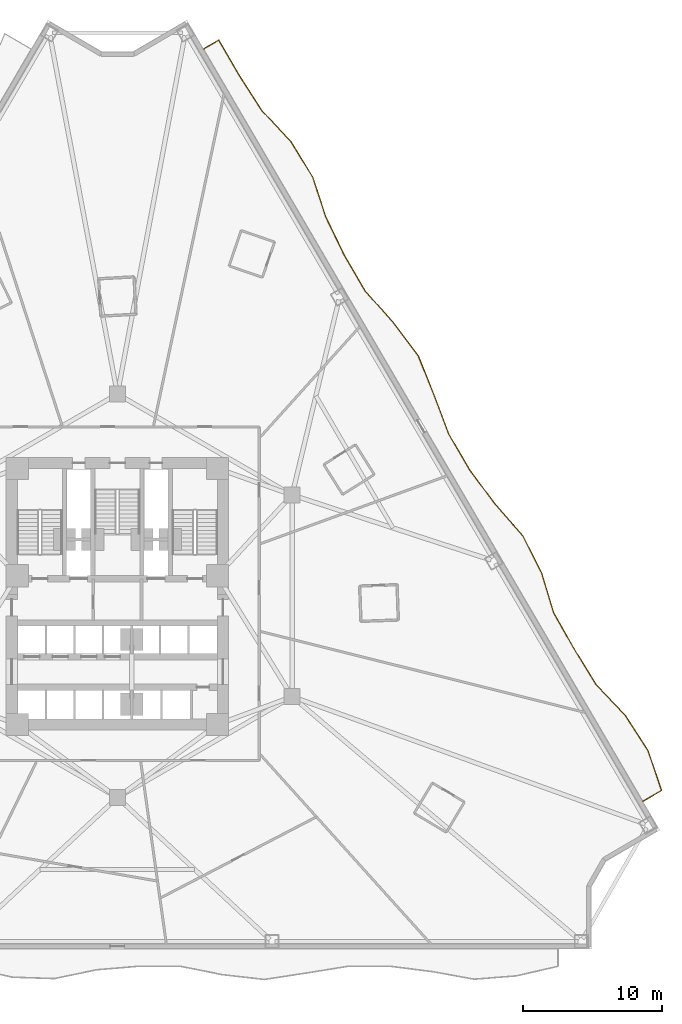
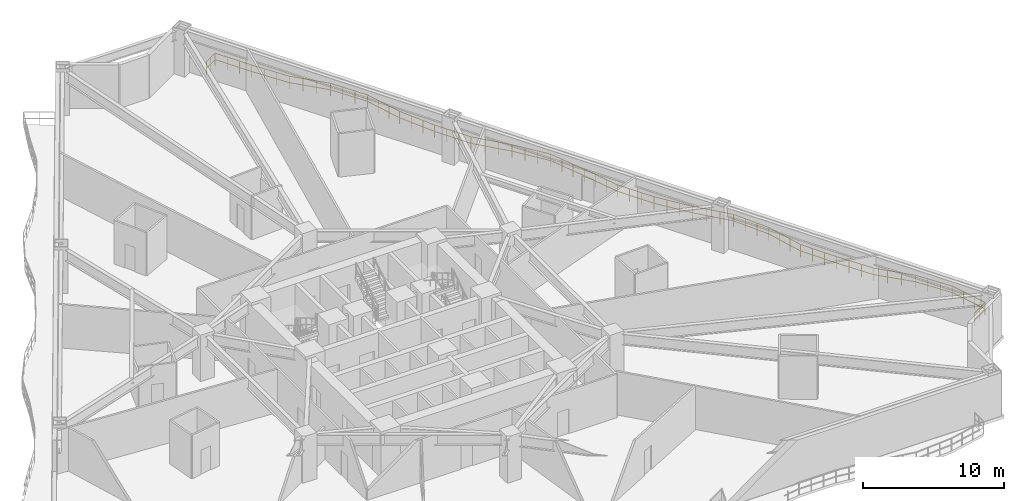
# One storey, part 12 of 12: 1 railing.
"""IFC4 building model written with IfcOpenShell, lengths in metres."""

from ifc_helpers import new_model, si_unit, direction, frame, origin, origin_2d, place, context, subcontext, project, spatial, rectangle, extrude, material, type_object, element, save


model = new_model("IFC4")

# Units and contexts
model_context = context("Model", 3, precision=1e-05, world=origin(), true_north=direction((0.0, 1.0)))
body_context = subcontext(model_context, "Body", "Model", "MODEL_VIEW")
ifc_project = project(units=[si_unit("LENGTHUNIT", "METRE"), si_unit("AREAUNIT", "SQUARE_METRE"), si_unit("VOLUMEUNIT", "CUBIC_METRE"), si_unit("PLANEANGLEUNIT", "RADIAN"), si_unit("MASSUNIT", "GRAM", prefix="KILO")], contexts=[model_context])

# Site, building, storey
site_placement = place(None, origin())
site = spatial("IfcSite", under=ifc_project, at=site_placement, CompositionType="ELEMENT")
building_placement = place(site_placement, origin())
building = spatial("IfcBuilding", under=site, at=building_placement, Name="Apsidion Concourse Tower", CompositionType="ELEMENT")
storey_placement = place(building_placement, frame((0.0, 0.0, 50.39990234375)))
storey = spatial("IfcBuildingStorey", under=building, at=storey_placement, Name="L10", CompositionType="ELEMENT", Elevation=50.39990234375)

# Railing
ifc_material = material(Name="Brushed stainless steel 316", Category="steel")
railing_type = type_object("IfcRailingType", Name="RL-BAL-1120", PredefinedType="BALUSTRADE", material=ifc_material)
railing_placement = place(storey_placement, frame((6.204833984375, 39.32275390625, 0.0)))
element("IfcRailing", 1, at=railing_placement, inside=storey, type_object=railing_type, Name="L10 Face 3 Rippling Balcony Balustrade", PredefinedType="BALUSTRADE", context=body_context, shape_type="SweptSolid", body=[
    extrude(rectangle(XDim=0.048095703125, YDim=0.048095703125, at=origin_2d()), frame((0.0, 0.0, 1.09619140625), z_axis=(0.863516668547, 0.504320298165, 0.0), x_axis=(-0.504320298165, 0.863516668547, 0.0)), (0.0, 0.0, 1.0), 1.25),
    extrude(rectangle(XDim=0.048095703125, YDim=0.048095703125, at=origin_2d()), frame((0.0, 0.0, 0.5361328125), z_axis=(0.863516668547, 0.504320298165, 0.0), x_axis=(-0.504320298165, 0.863516668547, 0.0)), (0.0, 0.0, 1.0), 1.25),
    extrude(rectangle(XDim=0.048095703125, YDim=0.048095703125, at=origin_2d()), frame((1.079345703125, 0.63037109375, 1.09619140625), z_axis=(0.504252641195, -0.863556178745, 0.0), x_axis=(0.863556178745, 0.504252641195, 0.0)), (0.0, 0.0, 1.0), 2.98291015625),
    extrude(rectangle(XDim=0.048095703125, YDim=0.048095703125, at=origin_2d()), frame((1.079345703125, 0.63037109375, 0.5361328125), z_axis=(0.504252641195, -0.863556178745, 0.0), x_axis=(0.863556178745, 0.504252641195, 0.0)), (0.0, 0.0, 1.0), 2.98291015625),
    extrude(rectangle(XDim=0.048095703125, YDim=0.048095703125, at=origin_2d()), frame((2.58349609375, -1.945556640625, 1.09619140625), z_axis=(0.541212098361, -0.84088611868, 0.0), x_axis=(0.84088611868, 0.541212098361, 0.0)), (0.0, 0.0, 1.0), 2.98583984375),
    extrude(rectangle(XDim=0.048095703125, YDim=0.048095703125, at=origin_2d()), frame((2.58349609375, -1.945556640625, 0.5361328125), z_axis=(0.541212098361, -0.84088611868, 0.0), x_axis=(0.84088611868, 0.541212098361, 0.0)), (0.0, 0.0, 1.0), 2.98583984375),
    extrude(rectangle(XDim=0.048095703125, YDim=0.048095703125, at=origin_2d()), frame((4.199462890625, -4.456298828125, 1.09619140625), z_axis=(0.6840419799, -0.729442643211, 0.0), x_axis=(0.729442643211, 0.6840419799, 0.0)), (0.0, 0.0, 1.0), 3.059814453125),
    extrude(rectangle(XDim=0.048095703125, YDim=0.048095703125, at=origin_2d()), frame((4.199462890625, -4.456298828125, 0.5361328125), z_axis=(0.6840419799, -0.729442643211, 0.0), x_axis=(0.729442643211, 0.6840419799, 0.0)), (0.0, 0.0, 1.0), 3.059814453125),
    extrude(rectangle(XDim=0.048095703125, YDim=0.048095703125, at=origin_2d()), frame((6.29248046875, -6.688232421875, 1.09619140625), z_axis=(0.52049976086, -0.8538618149, 0.0), x_axis=(0.8538618149, 0.52049976086, 0.0)), (0.0, 0.0, 1.0), 2.983642578125),
    extrude(rectangle(XDim=0.048095703125, YDim=0.048095703125, at=origin_2d()), frame((6.29248046875, -6.688232421875, 0.5361328125), z_axis=(0.52049976086, -0.8538618149, 0.0), x_axis=(0.8538618149, 0.52049976086, 0.0)), (0.0, 0.0, 1.0), 2.983642578125),
    extrude(rectangle(XDim=0.048095703125, YDim=0.048095703125, at=origin_2d()), frame((7.845458984375, -9.23583984375, 1.09619140625), z_axis=(0.312455633183, -0.949932354061, 0.0), x_axis=(0.949932354061, 0.312455633183, 0.0)), (0.0, 0.0, 1.0), 3.050537109375),
    extrude(rectangle(XDim=0.048095703125, YDim=0.048095703125, at=origin_2d()), frame((7.845458984375, -9.23583984375, 0.5361328125), z_axis=(0.312455633183, -0.949932354061, 0.0), x_axis=(0.949932354061, 0.312455633183, 0.0)), (0.0, 0.0, 1.0), 3.050537109375),
    extrude(rectangle(XDim=0.048095703125, YDim=0.048095703125, at=origin_2d()), frame((8.798583984375, -12.133544921875, 1.09619140625), z_axis=(0.436211432489, -0.899844201052, 0.0), x_axis=(0.899844201052, 0.436211432489, 0.0)), (0.0, 0.0, 1.0), 2.991455078125),
    extrude(rectangle(XDim=0.048095703125, YDim=0.048095703125, at=origin_2d()), frame((8.798583984375, -12.133544921875, 0.5361328125), z_axis=(0.436211432489, -0.899844201052, 0.0), x_axis=(0.899844201052, 0.436211432489, 0.0)), (0.0, 0.0, 1.0), 2.991455078125),
    extrude(rectangle(XDim=0.048095703125, YDim=0.048095703125, at=origin_2d()), frame((10.103515625, -14.825439453125, 1.09619140625), z_axis=(0.504217003444, -0.863576987557, 0.0), x_axis=(0.863576987557, 0.504217003444, 0.0)), (0.0, 0.0, 1.0), 2.983154296875),
    extrude(rectangle(XDim=0.048095703125, YDim=0.048095703125, at=origin_2d()), frame((10.103515625, -14.825439453125, 0.5361328125), z_axis=(0.504217003444, -0.863576987557, 0.0), x_axis=(0.863576987557, 0.504217003444, 0.0)), (0.0, 0.0, 1.0), 2.983154296875),
    extrude(rectangle(XDim=0.048095703125, YDim=0.048095703125, at=origin_2d()), frame((11.607666015625, -17.401611328125, 1.09619140625), z_axis=(0.664617797702, -0.747183500205, 0.0), x_axis=(0.747183500205, 0.664617797702, 0.0)), (0.0, 0.0, 1.0), 3.042724609375),
    extrude(rectangle(XDim=0.048095703125, YDim=0.048095703125, at=origin_2d()), frame((11.607666015625, -17.401611328125, 0.5361328125), z_axis=(0.664617797702, -0.747183500205, 0.0), x_axis=(0.747183500205, 0.664617797702, 0.0)), (0.0, 0.0, 1.0), 3.042724609375),
    extrude(rectangle(XDim=0.048095703125, YDim=0.048095703125, at=origin_2d()), frame((13.6298828125, -19.675048828125, 1.09619140625), z_axis=(0.600884171169, -0.799336107554, 0.0), x_axis=(0.799336107554, 0.600884171169, 0.0)), (0.0, 0.0, 1.0), 3.0029296875),
    extrude(rectangle(XDim=0.048095703125, YDim=0.048095703125, at=origin_2d()), frame((13.6298828125, -19.675048828125, 0.5361328125), z_axis=(0.600884171169, -0.799336107554, 0.0), x_axis=(0.799336107554, 0.600884171169, 0.0)), (0.0, 0.0, 1.0), 3.0029296875),
    extrude(rectangle(XDim=0.048095703125, YDim=0.048095703125, at=origin_2d()), frame((15.434326171875, -22.075439453125, 1.09619140625), z_axis=(0.371488374895, -0.928437605506, 0.0), x_axis=(0.928437605506, 0.371488374895, 0.0)), (0.0, 0.0, 1.0), 3.015869140625),
    extrude(rectangle(XDim=0.048095703125, YDim=0.048095703125, at=origin_2d()), frame((15.434326171875, -22.075439453125, 0.5361328125), z_axis=(0.371488374895, -0.928437605506, 0.0), x_axis=(0.928437605506, 0.371488374895, 0.0)), (0.0, 0.0, 1.0), 3.015869140625),
    extrude(rectangle(XDim=0.048095703125, YDim=0.048095703125, at=origin_2d()), frame((16.5546875, -24.87548828125, 1.09619140625), z_axis=(0.353386444389, -0.935477429403, 0.0), x_axis=(0.935477429403, 0.353386444389, 0.0)), (0.0, 0.0, 1.0), 3.025390625),
    extrude(rectangle(XDim=0.048095703125, YDim=0.048095703125, at=origin_2d()), frame((16.5546875, -24.87548828125, 0.5361328125), z_axis=(0.353386444389, -0.935477429403, 0.0), x_axis=(0.935477429403, 0.353386444389, 0.0)), (0.0, 0.0, 1.0), 3.025390625),
    extrude(rectangle(XDim=0.048095703125, YDim=0.048095703125, at=origin_2d()), frame((17.623779296875, -27.70556640625, 1.09619140625), z_axis=(0.504191602526, -0.863591817899, 0.0), x_axis=(0.863591817899, 0.504191602526, 0.0)), (0.0, 0.0, 1.0), 2.98291015625),
    extrude(rectangle(XDim=0.048095703125, YDim=0.048095703125, at=origin_2d()), frame((17.623779296875, -27.70556640625, 0.5361328125), z_axis=(0.504191602526, -0.863591817899, 0.0), x_axis=(0.863591817899, 0.504191602526, 0.0)), (0.0, 0.0, 1.0), 2.98291015625),
    extrude(rectangle(XDim=0.048095703125, YDim=0.048095703125, at=origin_2d()), frame((19.127685546875, -30.281494140625, 1.09619140625), z_axis=(0.59743312146, -0.801918739887, 0.0), x_axis=(0.801918739887, 0.59743312146, 0.0)), (0.0, 0.0, 1.0), 3.00146484375),
    extrude(rectangle(XDim=0.048095703125, YDim=0.048095703125, at=origin_2d()), frame((19.127685546875, -30.281494140625, 0.5361328125), z_axis=(0.59743312146, -0.801918739887, 0.0), x_axis=(0.801918739887, 0.59743312146, 0.0)), (0.0, 0.0, 1.0), 3.00146484375),
    extrude(rectangle(XDim=0.048095703125, YDim=0.048095703125, at=origin_2d()), frame((20.9208984375, -32.6884765625, 1.09619140625), z_axis=(0.658919799171, -0.752213200004, 0.0), x_axis=(0.752213200004, 0.658919799171, 0.0)), (0.0, 0.0, 1.0), 3.038330078125),
    extrude(rectangle(XDim=0.048095703125, YDim=0.048095703125, at=origin_2d()), frame((20.9208984375, -32.6884765625, 0.5361328125), z_axis=(0.658919799171, -0.752213200004, 0.0), x_axis=(0.752213200004, 0.658919799171, 0.0)), (0.0, 0.0, 1.0), 3.038330078125),
    extrude(rectangle(XDim=0.048095703125, YDim=0.048095703125, at=origin_2d()), frame((22.9228515625, -34.973876953125, 1.09619140625), z_axis=(0.454064092213, -0.890969023122, 0.0), x_axis=(0.890969023122, 0.454064092213, 0.0)), (0.0, 0.0, 1.0), 2.98779296875),
    extrude(rectangle(XDim=0.048095703125, YDim=0.048095703125, at=origin_2d()), frame((22.9228515625, -34.973876953125, 0.5361328125), z_axis=(0.454064092213, -0.890969023122, 0.0), x_axis=(0.890969023122, 0.454064092213, 0.0)), (0.0, 0.0, 1.0), 2.98779296875),
    extrude(rectangle(XDim=0.048095703125, YDim=0.048095703125, at=origin_2d()), frame((24.279541015625, -37.635986328125, 1.09619140625), z_axis=(0.290648251886, -0.956829971142, 0.0), x_axis=(0.956829971142, 0.290648251886, 0.0)), (0.0, 0.0, 1.0), 3.06591796875),
    extrude(rectangle(XDim=0.048095703125, YDim=0.048095703125, at=origin_2d()), frame((24.279541015625, -37.635986328125, 0.5361328125), z_axis=(0.290648251886, -0.956829971142, 0.0), x_axis=(0.956829971142, 0.290648251886, 0.0)), (0.0, 0.0, 1.0), 3.06591796875),
    extrude(rectangle(XDim=0.048095703125, YDim=0.048095703125, at=origin_2d()), frame((25.170654296875, -40.569580078125, 1.09619140625), z_axis=(0.49519563178, -0.868781495122, 0.0), x_axis=(0.868781495122, 0.49519563178, 0.0)), (0.0, 0.0, 1.0), 2.983154296875),
    extrude(rectangle(XDim=0.048095703125, YDim=0.048095703125, at=origin_2d()), frame((25.170654296875, -40.569580078125, 0.5361328125), z_axis=(0.49519563178, -0.868781495122, 0.0), x_axis=(0.868781495122, 0.49519563178, 0.0)), (0.0, 0.0, 1.0), 2.983154296875),
    extrude(rectangle(XDim=0.048095703125, YDim=0.048095703125, at=origin_2d()), frame((26.64794921875, -43.161376953125, 1.09619140625), z_axis=(0.522416213326, -0.852690623881, 0.0), x_axis=(0.852690623881, 0.522416213326, 0.0)), (0.0, 0.0, 1.0), 2.9833984375),
    extrude(rectangle(XDim=0.048095703125, YDim=0.048095703125, at=origin_2d()), frame((26.64794921875, -43.161376953125, 0.5361328125), z_axis=(0.522416213326, -0.852690623881, 0.0), x_axis=(0.852690623881, 0.522416213326, 0.0)), (0.0, 0.0, 1.0), 2.9833984375),
    extrude(rectangle(XDim=0.048095703125, YDim=0.048095703125, at=origin_2d()), frame((28.20654296875, -45.705322265625, 1.09619140625), z_axis=(0.688709680388, -0.725037223969, 0.0), x_axis=(0.725037223969, 0.688709680388, 0.0)), (0.0, 0.0, 1.0), 3.064453125),
    extrude(rectangle(XDim=0.048095703125, YDim=0.048095703125, at=origin_2d()), frame((28.20654296875, -45.705322265625, 0.5361328125), z_axis=(0.688709680388, -0.725037223969, 0.0), x_axis=(0.725037223969, 0.688709680388, 0.0)), (0.0, 0.0, 1.0), 3.064453125),
    extrude(rectangle(XDim=0.048095703125, YDim=0.048095703125, at=origin_2d()), frame((30.317138671875, -47.92724609375, 1.09619140625), z_axis=(0.542260953997, -0.840210127153, 0.0), x_axis=(0.840210127153, 0.542260953997, 0.0)), (0.0, 0.0, 1.0), 2.98583984375),
    extrude(rectangle(XDim=0.048095703125, YDim=0.048095703125, at=origin_2d()), frame((30.317138671875, -47.92724609375, 0.5361328125), z_axis=(0.542260953997, -0.840210127153, 0.0), x_axis=(0.840210127153, 0.542260953997, 0.0)), (0.0, 0.0, 1.0), 2.98583984375),
    extrude(rectangle(XDim=0.048095703125, YDim=0.048095703125, at=origin_2d()), frame((31.936279296875, -50.43603515625, 1.09619140625), z_axis=(0.324281239904, -0.945960716651, 0.0), x_axis=(0.945960716651, 0.324281239904, 0.0)), (0.0, 0.0, 1.0), 3.042236328125),
    extrude(rectangle(XDim=0.048095703125, YDim=0.048095703125, at=origin_2d()), frame((31.936279296875, -50.43603515625, 0.5361328125), z_axis=(0.324281239904, -0.945960716651, 0.0), x_axis=(0.945960716651, 0.324281239904, 0.0)), (0.0, 0.0, 1.0), 3.042236328125),
    extrude(rectangle(XDim=0.048095703125, YDim=0.048095703125, at=origin_2d()), frame((32.9228515625, -53.31396484375, 1.09619140625), z_axis=(-0.86356171129, -0.504243166333, 0.0), x_axis=(0.504243166333, -0.86356171129, 0.0)), (0.0, 0.0, 1.0), 1.5498046875),
    extrude(rectangle(XDim=0.048095703125, YDim=0.048095703125, at=origin_2d()), frame((32.9228515625, -53.31396484375, 0.5361328125), z_axis=(-0.86356171129, -0.504243166333, 0.0), x_axis=(0.504243166333, -0.86356171129, 0.0)), (0.0, 0.0, 1.0), 1.5498046875),
    extrude(rectangle(XDim=0.0419921875, YDim=0.0419921875, at=origin_2d()), origin(), (0.0, 0.0, 1.0), 1.072021484375),
    extrude(rectangle(XDim=0.0419921875, YDim=0.0419921875, at=origin_2d()), frame((0.53955078125, 0.315185546875, 0.0)), (0.0, 0.0, 1.0), 1.072021484375),
    extrude(rectangle(XDim=0.0419921875, YDim=0.0419921875, at=origin_2d()), frame((1.079345703125, 0.63037109375, 0.0)), (0.0, 0.0, 1.0), 1.072021484375),
    extrude(rectangle(XDim=0.0419921875, YDim=0.0419921875, at=origin_2d()), frame((1.580810546875, -0.228271484375, 0.0)), (0.0, 0.0, 1.0), 1.072021484375),
    extrude(rectangle(XDim=0.0419921875, YDim=0.0419921875, at=origin_2d()), frame((2.08203125, -1.0869140625, 0.0)), (0.0, 0.0, 1.0), 1.072021484375),
    extrude(rectangle(XDim=0.0419921875, YDim=0.0419921875, at=origin_2d()), frame((2.58349609375, -1.945556640625, 0.0)), (0.0, 0.0, 1.0), 1.072021484375),
    extrude(rectangle(XDim=0.0419921875, YDim=0.0419921875, at=origin_2d()), frame((3.1220703125, -2.782470703125, 0.0)), (0.0, 0.0, 1.0), 1.072021484375),
    extrude(rectangle(XDim=0.0419921875, YDim=0.0419921875, at=origin_2d()), frame((3.660888671875, -3.619384765625, 0.0)), (0.0, 0.0, 1.0), 1.072021484375),
    extrude(rectangle(XDim=0.0419921875, YDim=0.0419921875, at=origin_2d()), frame((4.199462890625, -4.456298828125, 0.0)), (0.0, 0.0, 1.0), 1.072021484375),
    extrude(rectangle(XDim=0.0419921875, YDim=0.0419921875, at=origin_2d()), frame((4.897216796875, -5.2001953125, 0.0)), (0.0, 0.0, 1.0), 1.072021484375),
    extrude(rectangle(XDim=0.0419921875, YDim=0.0419921875, at=origin_2d()), frame((5.5947265625, -5.9443359375, 0.0)), (0.0, 0.0, 1.0), 1.072021484375),
    extrude(rectangle(XDim=0.0419921875, YDim=0.0419921875, at=origin_2d()), frame((6.29248046875, -6.688232421875, 0.0)), (0.0, 0.0, 1.0), 1.072021484375),
    extrude(rectangle(XDim=0.0419921875, YDim=0.0419921875, at=origin_2d()), frame((6.81005859375, -7.537353515625, 0.0)), (0.0, 0.0, 1.0), 1.072021484375),
    extrude(rectangle(XDim=0.0419921875, YDim=0.0419921875, at=origin_2d()), frame((7.327880859375, -8.38671875, 0.0)), (0.0, 0.0, 1.0), 1.072021484375),
    extrude(rectangle(XDim=0.0419921875, YDim=0.0419921875, at=origin_2d()), frame((7.845458984375, -9.23583984375, 0.0)), (0.0, 0.0, 1.0), 1.072021484375),
    extrude(rectangle(XDim=0.0419921875, YDim=0.0419921875, at=origin_2d()), frame((8.1630859375, -10.20166015625, 0.0)), (0.0, 0.0, 1.0), 1.072021484375),
    extrude(rectangle(XDim=0.0419921875, YDim=0.0419921875, at=origin_2d()), frame((8.48095703125, -11.167724609375, 0.0)), (0.0, 0.0, 1.0), 1.072021484375),
    extrude(rectangle(XDim=0.0419921875, YDim=0.0419921875, at=origin_2d()), frame((8.798583984375, -12.133544921875, 0.0)), (0.0, 0.0, 1.0), 1.072021484375),
    extrude(rectangle(XDim=0.0419921875, YDim=0.0419921875, at=origin_2d()), frame((9.233642578125, -13.03076171875, 0.0)), (0.0, 0.0, 1.0), 1.072021484375),
    extrude(rectangle(XDim=0.0419921875, YDim=0.0419921875, at=origin_2d()), frame((9.66845703125, -13.92822265625, 0.0)), (0.0, 0.0, 1.0), 1.072021484375),
    extrude(rectangle(XDim=0.0419921875, YDim=0.0419921875, at=origin_2d()), frame((10.103515625, -14.825439453125, 0.0)), (0.0, 0.0, 1.0), 1.072021484375),
    extrude(rectangle(XDim=0.0419921875, YDim=0.0419921875, at=origin_2d()), frame((10.60498046875, -15.68408203125, 0.0)), (0.0, 0.0, 1.0), 1.072021484375),
    extrude(rectangle(XDim=0.0419921875, YDim=0.0419921875, at=origin_2d()), frame((11.106201171875, -16.54296875, 0.0)), (0.0, 0.0, 1.0), 1.072021484375),
    extrude(rectangle(XDim=0.0419921875, YDim=0.0419921875, at=origin_2d()), frame((11.607666015625, -17.401611328125, 0.0)), (0.0, 0.0, 1.0), 1.072021484375),
    extrude(rectangle(XDim=0.0419921875, YDim=0.0419921875, at=origin_2d()), frame((12.28173828125, -18.159423828125, 0.0)), (0.0, 0.0, 1.0), 1.072021484375),
    extrude(rectangle(XDim=0.0419921875, YDim=0.0419921875, at=origin_2d()), frame((12.955810546875, -18.917236328125, 0.0)), (0.0, 0.0, 1.0), 1.072021484375),
    extrude(rectangle(XDim=0.0419921875, YDim=0.0419921875, at=origin_2d()), frame((13.6298828125, -19.675048828125, 0.0)), (0.0, 0.0, 1.0), 1.072021484375),
    extrude(rectangle(XDim=0.0419921875, YDim=0.0419921875, at=origin_2d()), frame((14.2314453125, -20.47509765625, 0.0)), (0.0, 0.0, 1.0), 1.072021484375),
    extrude(rectangle(XDim=0.0419921875, YDim=0.0419921875, at=origin_2d()), frame((14.832763671875, -21.275390625, 0.0)), (0.0, 0.0, 1.0), 1.072021484375),
    extrude(rectangle(XDim=0.0419921875, YDim=0.0419921875, at=origin_2d()), frame((15.434326171875, -22.075439453125, 0.0)), (0.0, 0.0, 1.0), 1.072021484375),
    extrude(rectangle(XDim=0.0419921875, YDim=0.0419921875, at=origin_2d()), frame((15.807861328125, -23.0087890625, 0.0)), (0.0, 0.0, 1.0), 1.072021484375),
    extrude(rectangle(XDim=0.0419921875, YDim=0.0419921875, at=origin_2d()), frame((16.18115234375, -23.942138671875, 0.0)), (0.0, 0.0, 1.0), 1.072021484375),
    extrude(rectangle(XDim=0.0419921875, YDim=0.0419921875, at=origin_2d()), frame((16.5546875, -24.87548828125, 0.0)), (0.0, 0.0, 1.0), 1.072021484375),
    extrude(rectangle(XDim=0.0419921875, YDim=0.0419921875, at=origin_2d()), frame((16.9111328125, -25.81884765625, 0.0)), (0.0, 0.0, 1.0), 1.072021484375),
    extrude(rectangle(XDim=0.0419921875, YDim=0.0419921875, at=origin_2d()), frame((17.267333984375, -26.76220703125, 0.0)), (0.0, 0.0, 1.0), 1.072021484375),
    extrude(rectangle(XDim=0.0419921875, YDim=0.0419921875, at=origin_2d()), frame((17.623779296875, -27.70556640625, 0.0)), (0.0, 0.0, 1.0), 1.072021484375),
    extrude(rectangle(XDim=0.0419921875, YDim=0.0419921875, at=origin_2d()), frame((18.125, -28.564208984375, 0.0)), (0.0, 0.0, 1.0), 1.072021484375),
    extrude(rectangle(XDim=0.0419921875, YDim=0.0419921875, at=origin_2d()), frame((18.62646484375, -29.4228515625, 0.0)), (0.0, 0.0, 1.0), 1.072021484375),
    extrude(rectangle(XDim=0.0419921875, YDim=0.0419921875, at=origin_2d()), frame((19.127685546875, -30.281494140625, 0.0)), (0.0, 0.0, 1.0), 1.072021484375),
    extrude(rectangle(XDim=0.0419921875, YDim=0.0419921875, at=origin_2d()), frame((19.725341796875, -31.083740234375, 0.0)), (0.0, 0.0, 1.0), 1.072021484375),
    extrude(rectangle(XDim=0.0419921875, YDim=0.0419921875, at=origin_2d()), frame((20.3232421875, -31.88623046875, 0.0)), (0.0, 0.0, 1.0), 1.072021484375),
    extrude(rectangle(XDim=0.0419921875, YDim=0.0419921875, at=origin_2d()), frame((20.9208984375, -32.6884765625, 0.0)), (0.0, 0.0, 1.0), 1.072021484375),
    extrude(rectangle(XDim=0.0419921875, YDim=0.0419921875, at=origin_2d()), frame((21.588134765625, -33.4501953125, 0.0)), (0.0, 0.0, 1.0), 1.072021484375),
    extrude(rectangle(XDim=0.0419921875, YDim=0.0419921875, at=origin_2d()), frame((22.255615234375, -34.212158203125, 0.0)), (0.0, 0.0, 1.0), 1.072021484375),
    extrude(rectangle(XDim=0.0419921875, YDim=0.0419921875, at=origin_2d()), frame((22.9228515625, -34.973876953125, 0.0)), (0.0, 0.0, 1.0), 1.072021484375),
    extrude(rectangle(XDim=0.0419921875, YDim=0.0419921875, at=origin_2d()), frame((23.375, -35.861328125, 0.0)), (0.0, 0.0, 1.0), 1.072021484375),
    extrude(rectangle(XDim=0.0419921875, YDim=0.0419921875, at=origin_2d()), frame((23.827392578125, -36.74853515625, 0.0)), (0.0, 0.0, 1.0), 1.072021484375),
    extrude(rectangle(XDim=0.0419921875, YDim=0.0419921875, at=origin_2d()), frame((24.279541015625, -37.635986328125, 0.0)), (0.0, 0.0, 1.0), 1.072021484375),
    extrude(rectangle(XDim=0.0419921875, YDim=0.0419921875, at=origin_2d()), frame((24.57666015625, -38.61376953125, 0.0)), (0.0, 0.0, 1.0), 1.072021484375),
    extrude(rectangle(XDim=0.0419921875, YDim=0.0419921875, at=origin_2d()), frame((24.87353515625, -39.591796875, 0.0)), (0.0, 0.0, 1.0), 1.072021484375),
    extrude(rectangle(XDim=0.0419921875, YDim=0.0419921875, at=origin_2d()), frame((25.170654296875, -40.569580078125, 0.0)), (0.0, 0.0, 1.0), 1.072021484375),
    extrude(rectangle(XDim=0.0419921875, YDim=0.0419921875, at=origin_2d()), frame((25.6630859375, -41.43359375, 0.0)), (0.0, 0.0, 1.0), 1.072021484375),
    extrude(rectangle(XDim=0.0419921875, YDim=0.0419921875, at=origin_2d()), frame((26.155517578125, -42.29736328125, 0.0)), (0.0, 0.0, 1.0), 1.072021484375),
    extrude(rectangle(XDim=0.0419921875, YDim=0.0419921875, at=origin_2d()), frame((26.64794921875, -43.161376953125, 0.0)), (0.0, 0.0, 1.0), 1.072021484375),
    extrude(rectangle(XDim=0.0419921875, YDim=0.0419921875, at=origin_2d()), frame((27.16748046875, -44.00927734375, 0.0)), (0.0, 0.0, 1.0), 1.072021484375),
    extrude(rectangle(XDim=0.0419921875, YDim=0.0419921875, at=origin_2d()), frame((27.68701171875, -44.857421875, 0.0)), (0.0, 0.0, 1.0), 1.072021484375),
    extrude(rectangle(XDim=0.0419921875, YDim=0.0419921875, at=origin_2d()), frame((28.20654296875, -45.705322265625, 0.0)), (0.0, 0.0, 1.0), 1.072021484375),
    extrude(rectangle(XDim=0.0419921875, YDim=0.0419921875, at=origin_2d()), frame((28.91015625, -46.446044921875, 0.0)), (0.0, 0.0, 1.0), 1.072021484375),
    extrude(rectangle(XDim=0.0419921875, YDim=0.0419921875, at=origin_2d()), frame((29.613525390625, -47.1865234375, 0.0)), (0.0, 0.0, 1.0), 1.072021484375),
    extrude(rectangle(XDim=0.0419921875, YDim=0.0419921875, at=origin_2d()), frame((30.317138671875, -47.92724609375, 0.0)), (0.0, 0.0, 1.0), 1.072021484375),
    extrude(rectangle(XDim=0.0419921875, YDim=0.0419921875, at=origin_2d()), frame((30.85693359375, -48.763427734375, 0.0)), (0.0, 0.0, 1.0), 1.072021484375),
    extrude(rectangle(XDim=0.0419921875, YDim=0.0419921875, at=origin_2d()), frame((31.396484375, -49.599853515625, 0.0)), (0.0, 0.0, 1.0), 1.072021484375),
    extrude(rectangle(XDim=0.0419921875, YDim=0.0419921875, at=origin_2d()), frame((31.936279296875, -50.43603515625, 0.0)), (0.0, 0.0, 1.0), 1.072021484375),
    extrude(rectangle(XDim=0.0419921875, YDim=0.0419921875, at=origin_2d()), frame((32.26513671875, -51.395263671875, 0.0)), (0.0, 0.0, 1.0), 1.072021484375),
    extrude(rectangle(XDim=0.0419921875, YDim=0.0419921875, at=origin_2d()), frame((32.593994140625, -52.354736328125, 0.0)), (0.0, 0.0, 1.0), 1.072021484375),
    extrude(rectangle(XDim=0.0419921875, YDim=0.0419921875, at=origin_2d()), frame((32.9228515625, -53.31396484375, 0.0)), (0.0, 0.0, 1.0), 1.072021484375),
    extrude(rectangle(XDim=0.0419921875, YDim=0.0419921875, at=origin_2d()), frame((32.253662109375, -53.70458984375, 0.0)), (0.0, 0.0, 1.0), 1.072021484375),
    extrude(rectangle(XDim=0.0419921875, YDim=0.0419921875, at=origin_2d()), frame((31.58447265625, -54.095458984375, 0.0)), (0.0, 0.0, 1.0), 1.072021484375),
])

save(model, "model.ifc")
